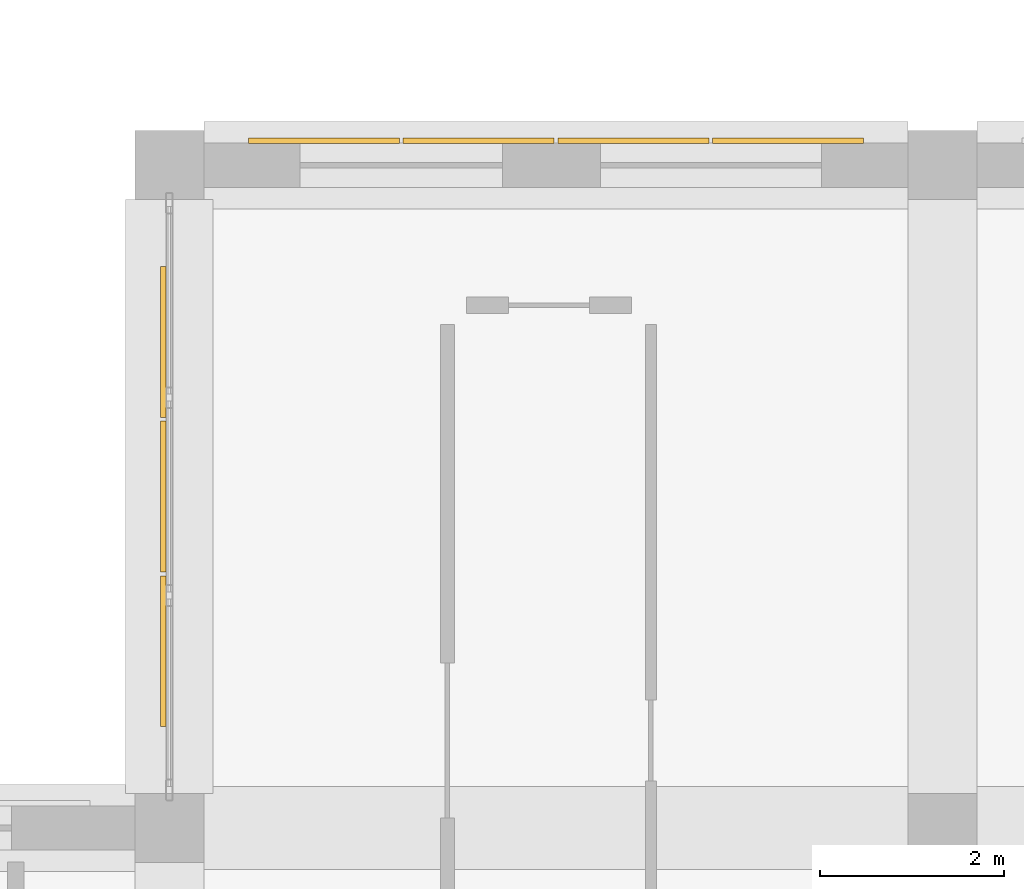
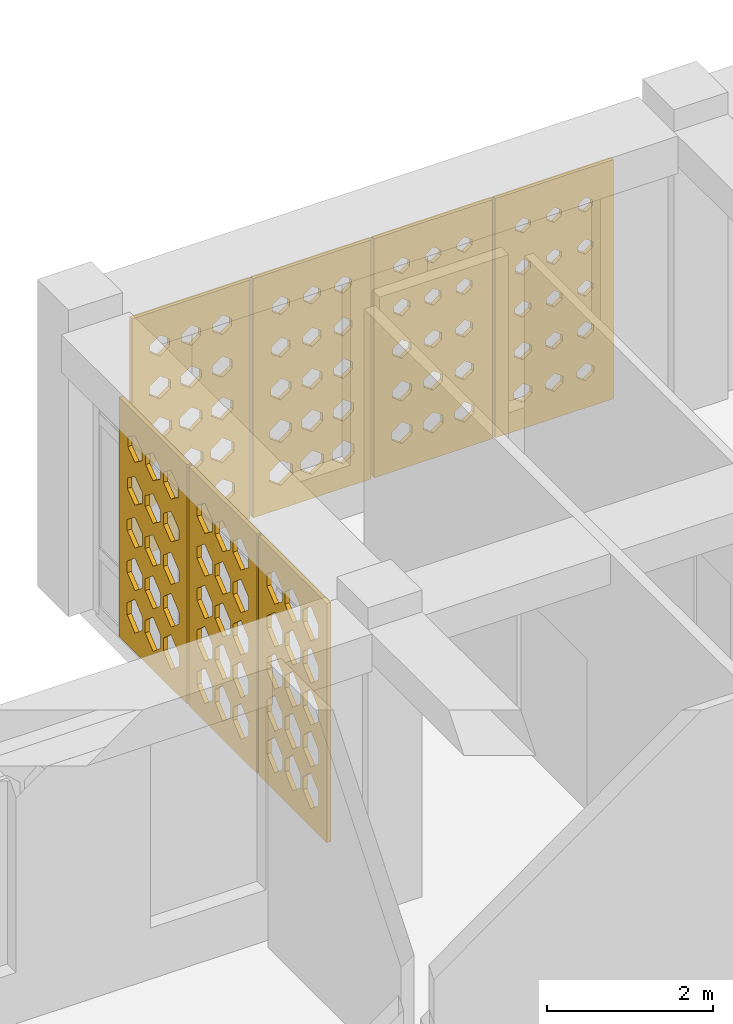
# One storey, part 96 of 111: 7 coverings.
"""IFC4 building model written with IfcOpenShell, lengths in metres."""

from ifc_helpers import new_model, si_unit, derived_unit, direction, frame, origin, place, context, subcontext, project, spatial, polyline, outline, extrude, material, layer, layer_set, type_object, element, save


model = new_model("IFC4")

# Units and contexts
model_context = context("Model", 3, precision=1e-05, world=origin(), true_north=direction((0.0, 1.0)))
body_context = subcontext(model_context, "Body", "Model", "MODEL_VIEW")
ifc_project = project(units=[si_unit("LENGTHUNIT", "METRE"), si_unit("AREAUNIT", "SQUARE_METRE"), si_unit("VOLUMEUNIT", "CUBIC_METRE"), si_unit("PLANEANGLEUNIT", "RADIAN"), si_unit("MASSUNIT", "GRAM", prefix="KILO"), derived_unit("THERMALTRANSMITTANCEUNIT", [(si_unit("POWERUNIT", "WATT"), 1), (si_unit("LENGTHUNIT", "METRE"), -2), (si_unit("THERMODYNAMICTEMPERATUREUNIT", "KELVIN"), -1)])], contexts=[model_context])

# Site, building, storey
site_placement = place(None, origin())
site = spatial("IfcSite", under=ifc_project, at=site_placement, CompositionType="ELEMENT")
building_placement = place(site_placement, origin())
building = spatial("IfcBuilding", under=site, at=building_placement, Name="Veybourne Emporium", CompositionType="ELEMENT")
storey_placement = place(building_placement, frame((0.0, 0.0, 9.89990234375)))
storey = spatial("IfcBuildingStorey", under=building, at=storey_placement, Name="L02", CompositionType="ELEMENT", Elevation=9.89990234375)

# Coverings
ifc_material = material(Name="Warm-White Perforated Aluminium Screen Alloy", Category="aluminium")
ifc_layer_1 = layer(ifc_material, 0.06005859375)
ifc_layer_set_1 = layer_set([ifc_layer_1], Name="Warm-White Perforated Aluminium Screen Alloy")
covering_type_1 = type_object("IfcCoveringType", Name="WaveScreen_SCR-01", PredefinedType="CLADDING", material=ifc_layer_set_1)
covering_1_placement = place(storey_placement, frame((18.47998046875, 86.697998046875, 1.815185546875), z_axis=(0.0, -1.0, 0.0), x_axis=(1.0, 0.0, 0.0)))
element("IfcCovering", 1, at=covering_1_placement, inside=storey, type_object=covering_type_1, Name="L02 wave-perforated aluminium screen SCR-01 (17.1)", PredefinedType="CLADDING", context=body_context, shape_type="SweptSolid", body=[
    extrude(outline(polyline([(-0.81982421875, -1.7548828125), (0.81982421875, -1.7548828125), (0.81982421875, 1.7548828125), (-0.81982421875, 1.7548828125), (-0.81982421875, -1.7548828125)]), holes=[polyline([(-0.433349609375, -1.0185546875), (-0.251953125, -1.152587890625), (-0.251953125, -1.303466796875), (-0.433349609375, -1.4375), (-0.61474609375, -1.303466796875), (-0.61474609375, -1.152587890625), (-0.433349609375, -1.0185546875)]), polyline([(-0.433349609375, -0.418701171875), (-0.263427734375, -0.543701171875), (-0.263427734375, -0.684326171875), (-0.433349609375, -0.809326171875), (-0.60302734375, -0.684326171875), (-0.60302734375, -0.543701171875), (-0.433349609375, -0.418701171875)]), polyline([(-0.433349609375, 0.18115234375), (-0.275146484375, 0.065185546875), (-0.275146484375, -0.065185546875), (-0.433349609375, -0.18115234375), (-0.591552734375, -0.065185546875), (-0.591552734375, 0.065185546875), (-0.433349609375, 0.18115234375)]), polyline([(-0.433349609375, 0.781494140625), (-0.286376953125, 0.67431640625), (-0.286376953125, 0.5537109375), (-0.433349609375, 0.446533203125), (-0.580322265625, 0.5537109375), (-0.580322265625, 0.67431640625), (-0.433349609375, 0.781494140625)]), polyline([(-0.433349609375, 1.38232421875), (-0.297119140625, 1.283447265625), (-0.297119140625, 1.172607421875), (-0.433349609375, 1.07373046875), (-0.569580078125, 1.172607421875), (-0.569580078125, 1.283447265625), (-0.433349609375, 1.38232421875)]), polyline([(0.0, -1.02490234375), (0.176025390625, -1.15478515625), (0.176025390625, -1.301025390625), (0.0, -1.430908203125), (-0.176025390625, -1.301025390625), (-0.176025390625, -1.15478515625), (0.0, -1.02490234375)]), polyline([(0.0, -0.425048828125), (0.16455078125, -0.5458984375), (0.16455078125, -0.681884765625), (0.0, -0.802978515625), (-0.16455078125, -0.681884765625), (-0.16455078125, -0.5458984375), (0.0, -0.425048828125)]), polyline([(0.0, 0.1748046875), (0.153076171875, 0.06298828125), (0.153076171875, -0.06298828125), (0.0, -0.1748046875), (-0.153076171875, -0.06298828125), (-0.153076171875, 0.06298828125), (0.0, 0.1748046875)]), polyline([(0.0, 0.775390625), (0.14208984375, 0.672119140625), (0.14208984375, 0.555908203125), (0.0, 0.45263671875), (-0.14208984375, 0.555908203125), (-0.14208984375, 0.672119140625), (0.0, 0.775390625)]), polyline([(0.0, 1.376708984375), (0.131591796875, 1.281494140625), (0.131591796875, 1.174560546875), (0.0, 1.079345703125), (-0.131591796875, 1.174560546875), (-0.131591796875, 1.281494140625), (0.0, 1.376708984375)]), polyline([(0.433349609375, -1.031494140625), (0.604248046875, -1.1572265625), (0.604248046875, -1.298828125), (0.433349609375, -1.424560546875), (0.262451171875, -1.298828125), (0.262451171875, -1.1572265625), (0.433349609375, -1.031494140625)]), polyline([(0.433349609375, -0.431396484375), (0.592529296875, -0.54833984375), (0.592529296875, -0.6796875), (0.433349609375, -0.79638671875), (0.27392578125, -0.6796875), (0.27392578125, -0.54833984375), (0.433349609375, -0.431396484375)]), polyline([(0.433349609375, 0.168701171875), (0.581298828125, 0.060791015625), (0.581298828125, -0.060791015625), (0.433349609375, -0.168701171875), (0.285400390625, -0.060791015625), (0.285400390625, 0.060791015625), (0.433349609375, 0.168701171875)]), polyline([(0.433349609375, 0.76953125), (0.570556640625, 0.669921875), (0.570556640625, 0.55810546875), (0.433349609375, 0.45849609375), (0.296142578125, 0.55810546875), (0.296142578125, 0.669921875), (0.433349609375, 0.76953125)]), polyline([(0.433349609375, 1.371337890625), (0.560791015625, 1.279541015625), (0.560791015625, 1.176513671875), (0.433349609375, 1.084716796875), (0.305908203125, 1.176513671875), (0.305908203125, 1.279541015625), (0.433349609375, 1.371337890625)])]), origin(), (0.0, 0.0, 1.0), 0.06005859375),
])
ifc_layer_2 = layer(ifc_material, 0.06005859375)
ifc_layer_set_2 = layer_set([ifc_layer_2], Name="Warm-White Perforated Aluminium Screen Alloy")
covering_type_2 = type_object("IfcCoveringType", Name="WaveScreen_SCR-02", PredefinedType="CLADDING", material=ifc_layer_set_2)
covering_2_placement = place(storey_placement, frame((20.159912109375, 86.697998046875, 1.815185546875), z_axis=(0.0, -1.0, 0.0), x_axis=(1.0, 0.0, 0.0)))
element("IfcCovering", 2, at=covering_2_placement, inside=storey, type_object=covering_type_2, Name="L02 wave-perforated aluminium screen SCR-02 (17.2)", PredefinedType="CLADDING", context=body_context, shape_type="SweptSolid", body=[
    extrude(outline(polyline([(-0.81982421875, -1.7548828125), (0.81982421875, -1.7548828125), (0.81982421875, 1.7548828125), (-0.81982421875, 1.7548828125), (-0.81982421875, -1.7548828125)]), holes=[polyline([(-0.433349609375, -1.04345703125), (-0.272216796875, -1.16162109375), (-0.272216796875, -1.29443359375), (-0.433349609375, -1.41259765625), (-0.59423828125, -1.29443359375), (-0.59423828125, -1.16162109375), (-0.433349609375, -1.04345703125)]), polyline([(-0.433349609375, -0.443359375), (-0.28369140625, -0.552490234375), (-0.28369140625, -0.67529296875), (-0.433349609375, -0.78466796875), (-0.5830078125, -0.67529296875), (-0.5830078125, -0.552490234375), (-0.433349609375, -0.443359375)]), polyline([(-0.433349609375, 0.157470703125), (-0.294677734375, 0.056640625), (-0.294677734375, -0.056640625), (-0.433349609375, -0.157470703125), (-0.572021484375, -0.056640625), (-0.572021484375, 0.056640625), (-0.433349609375, 0.157470703125)]), polyline([(-0.433349609375, 0.759033203125), (-0.3046875, 0.666259765625), (-0.3046875, 0.561767578125), (-0.433349609375, 0.468994140625), (-0.56201171875, 0.561767578125), (-0.56201171875, 0.666259765625), (-0.433349609375, 0.759033203125)]), polyline([(-0.433349609375, 1.3623046875), (-0.3134765625, 1.2763671875), (-0.3134765625, 1.1796875), (-0.433349609375, 1.09375), (-0.55322265625, 1.1796875), (-0.55322265625, 1.2763671875), (-0.433349609375, 1.3623046875)]), polyline([(0.0, -1.0498046875), (0.15576171875, -1.163818359375), (0.15576171875, -1.292236328125), (0.0, -1.40625), (-0.15576171875, -1.292236328125), (-0.15576171875, -1.163818359375), (0.0, -1.0498046875)]), polyline([(0.0, -0.449462890625), (0.14453125, -0.5546875), (0.14453125, -0.673095703125), (0.0, -0.778564453125), (-0.14453125, -0.673095703125), (-0.14453125, -0.5546875), (0.0, -0.449462890625)]), polyline([(0.0, 0.151611328125), (0.134033203125, 0.0546875), (0.134033203125, -0.0546875), (0.0, -0.151611328125), (-0.134033203125, -0.0546875), (-0.134033203125, 0.0546875), (0.0, 0.151611328125)]), polyline([(0.0, 0.75390625), (0.12451171875, 0.664306640625), (0.12451171875, 0.563720703125), (0.0, 0.47412109375), (-0.12451171875, 0.563720703125), (-0.12451171875, 0.664306640625), (0.0, 0.75390625)]), polyline([(0.0, 1.35791015625), (0.1162109375, 1.27490234375), (0.1162109375, 1.18115234375), (0.0, 1.09814453125), (-0.1162109375, 1.18115234375), (-0.1162109375, 1.27490234375), (0.0, 1.35791015625)]), polyline([(0.433349609375, -1.05615234375), (0.583984375, -1.166015625), (0.583984375, -1.289794921875), (0.433349609375, -1.39990234375), (0.28271484375, -1.289794921875), (0.28271484375, -1.166015625), (0.433349609375, -1.05615234375)]), polyline([(0.433349609375, -0.45556640625), (0.572998046875, -0.556884765625), (0.572998046875, -0.671142578125), (0.433349609375, -0.7724609375), (0.293701171875, -0.671142578125), (0.293701171875, -0.556884765625), (0.433349609375, -0.45556640625)]), polyline([(0.433349609375, 0.146240234375), (0.56298828125, 0.052490234375), (0.56298828125, -0.052490234375), (0.433349609375, -0.146240234375), (0.3037109375, -0.052490234375), (0.3037109375, 0.052490234375), (0.433349609375, 0.146240234375)]), polyline([(0.433349609375, 0.749267578125), (0.553955078125, 0.66259765625), (0.553955078125, 0.565185546875), (0.433349609375, 0.478759765625), (0.312744140625, 0.565185546875), (0.312744140625, 0.66259765625), (0.433349609375, 0.749267578125)]), polyline([(0.433349609375, 1.35400390625), (0.54638671875, 1.273193359375), (0.54638671875, 1.1826171875), (0.433349609375, 1.10205078125), (0.3203125, 1.1826171875), (0.3203125, 1.273193359375), (0.433349609375, 1.35400390625)])]), origin(), (0.0, 0.0, 1.0), 0.06005859375),
])
covering_3_placement = place(storey_placement, frame((16.70458984375, 81.1201171875, 1.815185546875), z_axis=(1.0, 0.0, 0.0), x_axis=(0.0, 1.0, 0.0)))
element("IfcCovering", 3, at=covering_3_placement, inside=storey, type_object=covering_type_2, Name="L02 wave-perforated aluminium screen SCR-02 (18C.1)", PredefinedType="CLADDING", context=body_context, shape_type="SweptSolid", body=[
    extrude(outline(polyline([(-0.81982421875, -1.7548828125), (0.81982421875, -1.7548828125), (0.81982421875, 1.7548828125), (-0.81982421875, 1.7548828125), (-0.81982421875, -1.7548828125)]), holes=[polyline([(-0.433349609375, -0.964111328125), (-0.2470703125, -1.133056640625), (-0.2470703125, -1.322998046875), (-0.433349609375, -1.491943359375), (-0.61962890625, -1.322998046875), (-0.61962890625, -1.133056640625), (-0.433349609375, -0.964111328125)]), polyline([(-0.433349609375, -0.35009765625), (-0.2470703125, -0.51904296875), (-0.2470703125, -0.708984375), (-0.433349609375, -0.8779296875), (-0.61962890625, -0.708984375), (-0.61962890625, -0.51904296875), (-0.433349609375, -0.35009765625)]), polyline([(-0.433349609375, 0.263916015625), (-0.2470703125, 0.094970703125), (-0.2470703125, -0.094970703125), (-0.433349609375, -0.263916015625), (-0.61962890625, -0.094970703125), (-0.61962890625, 0.094970703125), (-0.433349609375, 0.263916015625)]), polyline([(-0.433349609375, 0.876220703125), (-0.2470703125, 0.708251953125), (-0.2470703125, 0.519775390625), (-0.433349609375, 0.351806640625), (-0.61962890625, 0.519775390625), (-0.61962890625, 0.708251953125), (-0.433349609375, 0.876220703125)]), polyline([(-0.433349609375, 1.4814453125), (-0.2470703125, 1.319091796875), (-0.2470703125, 1.13671875), (-0.433349609375, 0.974609375), (-0.61962890625, 1.13671875), (-0.61962890625, 1.319091796875), (-0.433349609375, 1.4814453125)]), polyline([(0.0, -0.964111328125), (0.186279296875, -1.133056640625), (0.186279296875, -1.322998046875), (0.0, -1.491943359375), (-0.186279296875, -1.322998046875), (-0.186279296875, -1.133056640625), (0.0, -0.964111328125)]), polyline([(0.0, -0.35009765625), (0.186279296875, -0.51904296875), (0.186279296875, -0.708984375), (0.0, -0.8779296875), (-0.186279296875, -0.708984375), (-0.186279296875, -0.51904296875), (0.0, -0.35009765625)]), polyline([(0.0, 0.263916015625), (0.186279296875, 0.094970703125), (0.186279296875, -0.094970703125), (0.0, -0.263916015625), (-0.186279296875, -0.094970703125), (-0.186279296875, 0.094970703125), (0.0, 0.263916015625)]), polyline([(0.0, 0.872314453125), (0.186279296875, 0.70703125), (0.186279296875, 0.52099609375), (0.0, 0.355712890625), (-0.186279296875, 0.52099609375), (-0.186279296875, 0.70703125), (0.0, 0.872314453125)]), polyline([(0.0, 1.476806640625), (0.186279296875, 1.317626953125), (0.186279296875, 1.138427734375), (0.0, 0.97900390625), (-0.186279296875, 1.138427734375), (-0.186279296875, 1.317626953125), (0.0, 1.476806640625)]), polyline([(0.433349609375, -0.964111328125), (0.61962890625, -1.133056640625), (0.61962890625, -1.322998046875), (0.433349609375, -1.491943359375), (0.2470703125, -1.322998046875), (0.2470703125, -1.133056640625), (0.433349609375, -0.964111328125)]), polyline([(0.433349609375, -0.35009765625), (0.61962890625, -0.51904296875), (0.61962890625, -0.708984375), (0.433349609375, -0.8779296875), (0.2470703125, -0.708984375), (0.2470703125, -0.51904296875), (0.433349609375, -0.35009765625)]), polyline([(0.433349609375, 0.2626953125), (0.61962890625, 0.094482421875), (0.61962890625, -0.094482421875), (0.433349609375, -0.2626953125), (0.2470703125, -0.094482421875), (0.2470703125, 0.094482421875), (0.433349609375, 0.2626953125)]), polyline([(0.433349609375, 0.868408203125), (0.61962890625, 0.70556640625), (0.61962890625, 0.5224609375), (0.433349609375, 0.359619140625), (0.2470703125, 0.5224609375), (0.2470703125, 0.70556640625), (0.433349609375, 0.868408203125)]), polyline([(0.433349609375, 1.47216796875), (0.61962890625, 1.31591796875), (0.61962890625, 1.14013671875), (0.433349609375, 0.98388671875), (0.2470703125, 1.14013671875), (0.2470703125, 1.31591796875), (0.433349609375, 1.47216796875)])]), origin(), (0.0, 0.0, 1.0), 0.06005859375),
])
ifc_layer_3 = layer(ifc_material, 0.06005859375)
ifc_layer_set_3 = layer_set([ifc_layer_3], Name="Warm-White Perforated Aluminium Screen Alloy")
covering_type_3 = type_object("IfcCoveringType", Name="WaveScreen_SCR-03", PredefinedType="CLADDING", material=ifc_layer_set_3)
covering_4_placement = place(storey_placement, frame((21.840087890625, 86.697998046875, 1.815185546875), z_axis=(0.0, -1.0, 0.0), x_axis=(1.0, 0.0, 0.0)))
element("IfcCovering", 4, at=covering_4_placement, inside=storey, type_object=covering_type_3, Name="L02 wave-perforated aluminium screen SCR-03 (17.3)", PredefinedType="CLADDING", context=body_context, shape_type="SweptSolid", body=[
    extrude(outline(polyline([(-0.81982421875, -1.7548828125), (0.81982421875, -1.7548828125), (0.81982421875, 1.7548828125), (-0.81982421875, 1.7548828125), (-0.81982421875, -1.7548828125)]), holes=[polyline([(-0.433349609375, -1.0673828125), (-0.2919921875, -1.170166015625), (-0.2919921875, -1.285888671875), (-0.433349609375, -1.388427734375), (-0.57470703125, -1.285888671875), (-0.57470703125, -1.170166015625), (-0.433349609375, -1.0673828125)]), polyline([(-0.433349609375, -0.466064453125), (-0.30224609375, -0.560791015625), (-0.30224609375, -0.667236328125), (-0.433349609375, -0.761962890625), (-0.564453125, -0.667236328125), (-0.564453125, -0.560791015625), (-0.433349609375, -0.466064453125)]), polyline([(-0.433349609375, 0.13671875), (-0.3115234375, 0.04931640625), (-0.3115234375, -0.04931640625), (-0.433349609375, -0.13671875), (-0.55517578125, -0.04931640625), (-0.55517578125, 0.04931640625), (-0.433349609375, 0.13671875)]), polyline([(-0.433349609375, 0.7412109375), (-0.3193359375, 0.659912109375), (-0.3193359375, 0.568115234375), (-0.433349609375, 0.48681640625), (-0.54736328125, 0.568115234375), (-0.54736328125, 0.659912109375), (-0.433349609375, 0.7412109375)]), polyline([(-0.433349609375, 1.347412109375), (-0.32568359375, 1.27099609375), (-0.32568359375, 1.18505859375), (-0.433349609375, 1.1083984375), (-0.541015625, 1.18505859375), (-0.541015625, 1.27099609375), (-0.433349609375, 1.347412109375)]), polyline([(0.0, -1.073486328125), (0.136474609375, -1.17236328125), (0.136474609375, -1.28369140625), (0.0, -1.382568359375), (-0.136474609375, -1.28369140625), (-0.136474609375, -1.17236328125), (0.0, -1.073486328125)]), polyline([(0.0, -0.47119140625), (0.126708984375, -0.5625), (0.126708984375, -0.665283203125), (0.0, -0.756591796875), (-0.126708984375, -0.665283203125), (-0.126708984375, -0.5625), (0.0, -0.47119140625)]), polyline([(0.0, 0.132080078125), (0.1181640625, 0.047607421875), (0.1181640625, -0.047607421875), (0.0, -0.132080078125), (-0.1181640625, -0.047607421875), (-0.1181640625, 0.047607421875), (0.0, 0.132080078125)]), polyline([(0.0, 0.7373046875), (0.111083984375, 0.658447265625), (0.111083984375, 0.569580078125), (0.0, 0.490478515625), (-0.111083984375, 0.569580078125), (-0.111083984375, 0.658447265625), (0.0, 0.7373046875)]), polyline([(0.0, 1.3447265625), (0.10546875, 1.27001953125), (0.10546875, 1.18603515625), (0.0, 1.111328125), (-0.10546875, 1.18603515625), (-0.10546875, 1.27001953125), (0.0, 1.3447265625)]), polyline([(0.433349609375, -1.078857421875), (0.565185546875, -1.17431640625), (0.565185546875, -1.28173828125), (0.433349609375, -1.377197265625), (0.301513671875, -1.28173828125), (0.301513671875, -1.17431640625), (0.433349609375, -1.078857421875)]), polyline([(0.433349609375, -0.476318359375), (0.555908203125, -0.564453125), (0.555908203125, -0.66357421875), (0.433349609375, -0.751708984375), (0.310791015625, -0.66357421875), (0.310791015625, -0.564453125), (0.433349609375, -0.476318359375)]), polyline([(0.433349609375, 0.1279296875), (0.548095703125, 0.046142578125), (0.548095703125, -0.046142578125), (0.433349609375, -0.1279296875), (0.318603515625, -0.046142578125), (0.318603515625, 0.046142578125), (0.433349609375, 0.1279296875)]), polyline([(0.433349609375, 0.734130859375), (0.54150390625, 0.6572265625), (0.54150390625, 0.57080078125), (0.433349609375, 0.493896484375), (0.3251953125, 0.57080078125), (0.3251953125, 0.6572265625), (0.433349609375, 0.734130859375)]), polyline([(0.433349609375, 1.34228515625), (0.536865234375, 1.269287109375), (0.536865234375, 1.186767578125), (0.433349609375, 1.113525390625), (0.32958984375, 1.186767578125), (0.32958984375, 1.269287109375), (0.433349609375, 1.34228515625)])]), origin(), (0.0, 0.0, 1.0), 0.06005859375),
])
covering_5_placement = place(storey_placement, frame((16.70458984375, 82.800048828125, 1.815185546875), z_axis=(1.0, 0.0, 0.0), x_axis=(0.0, 1.0, 0.0)))
element("IfcCovering", 5, at=covering_5_placement, inside=storey, type_object=covering_type_3, Name="L02 wave-perforated aluminium screen SCR-03 (18C.2)", PredefinedType="CLADDING", context=body_context, shape_type="SweptSolid", body=[
    extrude(outline(polyline([(-0.81982421875, -1.7548828125), (0.81982421875, -1.7548828125), (0.81982421875, 1.7548828125), (-0.81982421875, 1.7548828125), (-0.81982421875, -1.7548828125)]), holes=[polyline([(-0.433349609375, -0.964111328125), (-0.2470703125, -1.133056640625), (-0.2470703125, -1.322998046875), (-0.433349609375, -1.491943359375), (-0.61962890625, -1.322998046875), (-0.61962890625, -1.133056640625), (-0.433349609375, -0.964111328125)]), polyline([(-0.433349609375, -0.35009765625), (-0.2470703125, -0.51904296875), (-0.2470703125, -0.708984375), (-0.433349609375, -0.877685546875), (-0.61962890625, -0.708984375), (-0.61962890625, -0.51904296875), (-0.433349609375, -0.35009765625)]), polyline([(-0.433349609375, 0.255615234375), (-0.2470703125, 0.092041015625), (-0.2470703125, -0.092041015625), (-0.433349609375, -0.255615234375), (-0.61962890625, -0.092041015625), (-0.61962890625, 0.092041015625), (-0.433349609375, 0.255615234375)]), polyline([(-0.433349609375, 0.859619140625), (-0.2470703125, 0.702392578125), (-0.2470703125, 0.525390625), (-0.433349609375, 0.368408203125), (-0.61962890625, 0.525390625), (-0.61962890625, 0.702392578125), (-0.433349609375, 0.859619140625)]), polyline([(-0.433349609375, 1.462158203125), (-0.2470703125, 1.312255859375), (-0.2470703125, 1.143798828125), (-0.433349609375, 0.993896484375), (-0.61962890625, 1.143798828125), (-0.61962890625, 1.312255859375), (-0.433349609375, 1.462158203125)]), polyline([(0.0, -0.964111328125), (0.186279296875, -1.133056640625), (0.186279296875, -1.322998046875), (0.0, -1.491943359375), (-0.186279296875, -1.322998046875), (-0.186279296875, -1.133056640625), (0.0, -0.964111328125)]), polyline([(0.0, -0.353515625), (0.186279296875, -0.520263671875), (0.186279296875, -0.707763671875), (0.0, -0.87451171875), (-0.186279296875, -0.707763671875), (-0.186279296875, -0.520263671875), (0.0, -0.353515625)]), polyline([(0.0, 0.25146484375), (0.186279296875, 0.090576171875), (0.186279296875, -0.090576171875), (0.0, -0.25146484375), (-0.186279296875, -0.090576171875), (-0.186279296875, 0.090576171875), (0.0, 0.25146484375)]), polyline([(0.0, 0.8544921875), (0.186279296875, 0.70068359375), (0.186279296875, 0.52734375), (0.0, 0.373291015625), (-0.186279296875, 0.52734375), (-0.186279296875, 0.70068359375), (0.0, 0.8544921875)]), polyline([(0.0, 1.45654296875), (0.186279296875, 1.310302734375), (0.186279296875, 1.145751953125), (0.0, 0.99951171875), (-0.186279296875, 1.145751953125), (-0.186279296875, 1.310302734375), (0.0, 1.45654296875)]), polyline([(0.433349609375, -0.964111328125), (0.61962890625, -1.133056640625), (0.61962890625, -1.322998046875), (0.433349609375, -1.491943359375), (0.2470703125, -1.322998046875), (0.2470703125, -1.133056640625), (0.433349609375, -0.964111328125)]), polyline([(0.433349609375, -0.357421875), (0.61962890625, -0.521484375), (0.61962890625, -0.706298828125), (0.433349609375, -0.87060546875), (0.2470703125, -0.706298828125), (0.2470703125, -0.521484375), (0.433349609375, -0.357421875)]), polyline([(0.433349609375, 0.24658203125), (0.61962890625, 0.0888671875), (0.61962890625, -0.0888671875), (0.433349609375, -0.24658203125), (0.2470703125, -0.0888671875), (0.2470703125, 0.0888671875), (0.433349609375, 0.24658203125)]), polyline([(0.433349609375, 0.849365234375), (0.61962890625, 0.69873046875), (0.61962890625, 0.529296875), (0.433349609375, 0.378662109375), (0.2470703125, 0.529296875), (0.2470703125, 0.69873046875), (0.433349609375, 0.849365234375)]), polyline([(0.433349609375, 1.45068359375), (0.61962890625, 1.30810546875), (0.61962890625, 1.14794921875), (0.433349609375, 1.00537109375), (0.2470703125, 1.14794921875), (0.2470703125, 1.30810546875), (0.433349609375, 1.45068359375)])]), origin(), (0.0, 0.0, 1.0), 0.06005859375),
])
ifc_layer_4 = layer(ifc_material, 0.06005859375)
ifc_layer_set_4 = layer_set([ifc_layer_4], Name="Warm-White Perforated Aluminium Screen Alloy")
covering_type_4 = type_object("IfcCoveringType", Name="WaveScreen_SCR-04", PredefinedType="CLADDING", material=ifc_layer_set_4)
covering_6_placement = place(storey_placement, frame((23.52001953125, 86.697998046875, 1.815185546875), z_axis=(0.0, -1.0, 0.0), x_axis=(1.0, 0.0, 0.0)))
element("IfcCovering", 6, at=covering_6_placement, inside=storey, type_object=covering_type_4, Name="L02 wave-perforated aluminium screen SCR-04 (17.4)", PredefinedType="CLADDING", context=body_context, shape_type="SweptSolid", body=[
    extrude(outline(polyline([(-0.81982421875, -1.7548828125), (0.81982421875, -1.7548828125), (0.81982421875, 1.7548828125), (-0.81982421875, 1.7548828125), (-0.81982421875, -1.7548828125)]), holes=[polyline([(-0.433349609375, -1.088623046875), (-0.309326171875, -1.177978515625), (-0.309326171875, -1.278076171875), (-0.433349609375, -1.3671875), (-0.557373046875, -1.278076171875), (-0.557373046875, -1.177978515625), (-0.433349609375, -1.088623046875)]), polyline([(-0.433349609375, -0.484619140625), (-0.317626953125, -0.5673828125), (-0.317626953125, -0.660400390625), (-0.433349609375, -0.743408203125), (-0.549072265625, -0.660400390625), (-0.549072265625, -0.5673828125), (-0.433349609375, -0.484619140625)]), polyline([(-0.433349609375, 0.12109375), (-0.32421875, 0.043701171875), (-0.32421875, -0.043701171875), (-0.433349609375, -0.12109375), (-0.54248046875, -0.043701171875), (-0.54248046875, 0.043701171875), (-0.433349609375, 0.12109375)]), polyline([(-0.433349609375, 0.72900390625), (-0.3291015625, 0.655517578125), (-0.3291015625, 0.572509765625), (-0.433349609375, 0.498779296875), (-0.53759765625, 0.572509765625), (-0.53759765625, 0.655517578125), (-0.433349609375, 0.72900390625)]), polyline([(-0.433349609375, 1.33935546875), (-0.332275390625, 1.26806640625), (-0.332275390625, 1.18798828125), (-0.433349609375, 1.11669921875), (-0.534423828125, 1.18798828125), (-0.534423828125, 1.26806640625), (-0.433349609375, 1.33935546875)]), polyline([(0.0, -1.093505859375), (0.1201171875, -1.1796875), (0.1201171875, -1.2763671875), (0.0, -1.362548828125), (-0.1201171875, -1.2763671875), (-0.1201171875, -1.1796875), (0.0, -1.093505859375)]), polyline([(0.0, -0.48876953125), (0.112548828125, -0.56884765625), (0.112548828125, -0.6591796875), (0.0, -0.7392578125), (-0.112548828125, -0.6591796875), (-0.112548828125, -0.56884765625), (0.0, -0.48876953125)]), polyline([(0.0, 0.1181640625), (0.106689453125, 0.04248046875), (0.106689453125, -0.04248046875), (0.0, -0.1181640625), (-0.106689453125, -0.04248046875), (-0.106689453125, 0.04248046875), (0.0, 0.1181640625)]), polyline([(0.0, 0.72705078125), (0.1025390625, 0.65478515625), (0.1025390625, 0.5732421875), (0.0, 0.5009765625), (-0.1025390625, 0.5732421875), (-0.1025390625, 0.65478515625), (0.0, 0.72705078125)]), polyline([(0.0, 1.33837890625), (0.100341796875, 1.267822265625), (0.100341796875, 1.188232421875), (0.0, 1.11767578125), (-0.100341796875, 1.188232421875), (-0.100341796875, 1.267822265625), (0.0, 1.33837890625)]), polyline([(0.433349609375, -1.097900390625), (0.5498046875, -1.18115234375), (0.5498046875, -1.27490234375), (0.433349609375, -1.358154296875), (0.31689453125, -1.27490234375), (0.31689453125, -1.18115234375), (0.433349609375, -1.097900390625)]), polyline([(0.433349609375, -0.4921875), (0.54296875, -0.570068359375), (0.54296875, -0.657958984375), (0.433349609375, -0.73583984375), (0.32373046875, -0.657958984375), (0.32373046875, -0.570068359375), (0.433349609375, -0.4921875)]), polyline([(0.433349609375, 0.115478515625), (0.537841796875, 0.04150390625), (0.537841796875, -0.04150390625), (0.433349609375, -0.115478515625), (0.328857421875, -0.04150390625), (0.328857421875, 0.04150390625), (0.433349609375, 0.115478515625)]), polyline([(0.433349609375, 0.7255859375), (0.53466796875, 0.654296875), (0.53466796875, 0.57373046875), (0.433349609375, 0.50244140625), (0.33203125, 0.57373046875), (0.33203125, 0.654296875), (0.433349609375, 0.7255859375)]), polyline([(0.433349609375, 1.337890625), (0.533447265625, 1.267578125), (0.533447265625, 1.1884765625), (0.433349609375, 1.117919921875), (0.333251953125, 1.1884765625), (0.333251953125, 1.267578125), (0.433349609375, 1.337890625)])]), origin(), (0.0, 0.0, 1.0), 0.06005859375),
])
covering_7_placement = place(storey_placement, frame((16.70458984375, 84.47998046875, 1.815185546875), z_axis=(1.0, 0.0, 0.0), x_axis=(0.0, 1.0, 0.0)))
element("IfcCovering", 7, at=covering_7_placement, inside=storey, type_object=covering_type_4, Name="L02 wave-perforated aluminium screen SCR-04 (18C.3)", PredefinedType="CLADDING", context=body_context, shape_type="SweptSolid", body=[
    extrude(outline(polyline([(-0.81982421875, -1.7548828125), (0.81982421875, -1.7548828125), (0.81982421875, 1.7548828125), (-0.81982421875, 1.7548828125), (-0.81982421875, -1.7548828125)]), holes=[polyline([(-0.433349609375, -0.97021484375), (-0.2470703125, -1.13525390625), (-0.2470703125, -1.32080078125), (-0.433349609375, -1.48583984375), (-0.61962890625, -1.32080078125), (-0.61962890625, -1.13525390625), (-0.433349609375, -0.97021484375)]), polyline([(-0.433349609375, -0.36572265625), (-0.2470703125, -0.524658203125), (-0.2470703125, -0.703369140625), (-0.433349609375, -0.8623046875), (-0.61962890625, -0.703369140625), (-0.61962890625, -0.524658203125), (-0.433349609375, -0.36572265625)]), polyline([(-0.433349609375, 0.237060546875), (-0.2470703125, 0.085205078125), (-0.2470703125, -0.085205078125), (-0.433349609375, -0.237060546875), (-0.61962890625, -0.085205078125), (-0.61962890625, 0.085205078125), (-0.433349609375, 0.237060546875)]), polyline([(-0.433349609375, 0.83837890625), (-0.2470703125, 0.69482421875), (-0.2470703125, 0.533203125), (-0.433349609375, 0.389404296875), (-0.61962890625, 0.533203125), (-0.61962890625, 0.69482421875), (-0.433349609375, 0.83837890625)]), polyline([(-0.433349609375, 1.43896484375), (-0.250732421875, 1.303955078125), (-0.250732421875, 1.152099609375), (-0.433349609375, 1.01708984375), (-0.615966796875, 1.152099609375), (-0.615966796875, 1.303955078125), (-0.433349609375, 1.43896484375)]), polyline([(0.0, -0.974365234375), (0.186279296875, -1.13671875), (0.186279296875, -1.3193359375), (0.0, -1.481689453125), (-0.186279296875, -1.3193359375), (-0.186279296875, -1.13671875), (0.0, -0.974365234375)]), polyline([(0.0, -0.37060546875), (0.186279296875, -0.5263671875), (0.186279296875, -0.70166015625), (0.0, -0.857421875), (-0.186279296875, -0.70166015625), (-0.186279296875, -0.5263671875), (0.0, -0.37060546875)]), polyline([(0.0, 0.2314453125), (0.186279296875, 0.083251953125), (0.186279296875, -0.083251953125), (0.0, -0.2314453125), (-0.186279296875, -0.083251953125), (-0.186279296875, 0.083251953125), (0.0, 0.2314453125)]), polyline([(0.0, 0.83251953125), (0.186279296875, 0.692626953125), (0.186279296875, 0.535400390625), (0.0, 0.3955078125), (-0.186279296875, 0.535400390625), (-0.186279296875, 0.692626953125), (0.0, 0.83251953125)]), polyline([(0.0, 1.4326171875), (0.177490234375, 1.3017578125), (0.177490234375, 1.154296875), (0.0, 1.023193359375), (-0.177490234375, 1.154296875), (-0.177490234375, 1.3017578125), (0.0, 1.4326171875)]), polyline([(0.433349609375, -0.978759765625), (0.61962890625, -1.13818359375), (0.61962890625, -1.317626953125), (0.433349609375, -1.477294921875), (0.2470703125, -1.317626953125), (0.2470703125, -1.13818359375), (0.433349609375, -0.978759765625)]), polyline([(0.433349609375, -0.3759765625), (0.61962890625, -0.5283203125), (0.61962890625, -0.69970703125), (0.433349609375, -0.85205078125), (0.2470703125, -0.69970703125), (0.2470703125, -0.5283203125), (0.433349609375, -0.3759765625)]), polyline([(0.433349609375, 0.2255859375), (0.61962890625, 0.081298828125), (0.61962890625, -0.081298828125), (0.433349609375, -0.2255859375), (0.2470703125, -0.081298828125), (0.2470703125, 0.081298828125), (0.433349609375, 0.2255859375)]), polyline([(0.433349609375, 0.826416015625), (0.616943359375, 0.6904296875), (0.616943359375, 0.53759765625), (0.433349609375, 0.401611328125), (0.24951171875, 0.53759765625), (0.24951171875, 0.6904296875), (0.433349609375, 0.826416015625)]), polyline([(0.433349609375, 1.42626953125), (0.605712890625, 1.29931640625), (0.605712890625, 1.156494140625), (0.433349609375, 1.02978515625), (0.260986328125, 1.156494140625), (0.260986328125, 1.29931640625), (0.433349609375, 1.42626953125)])]), origin(), (0.0, 0.0, 1.0), 0.06005859375),
])

save(model, "model.ifc")
